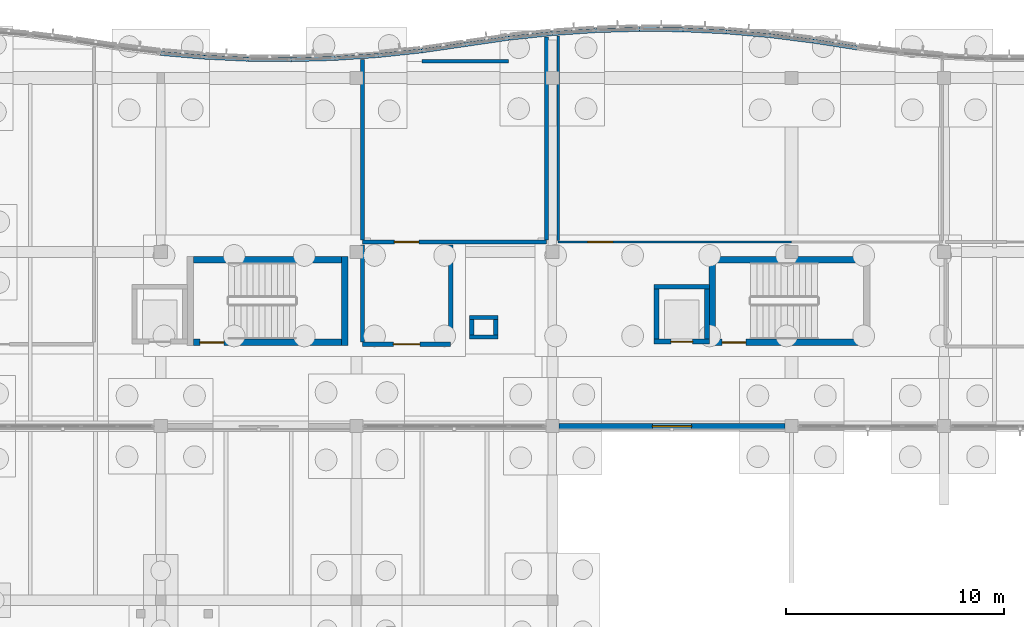
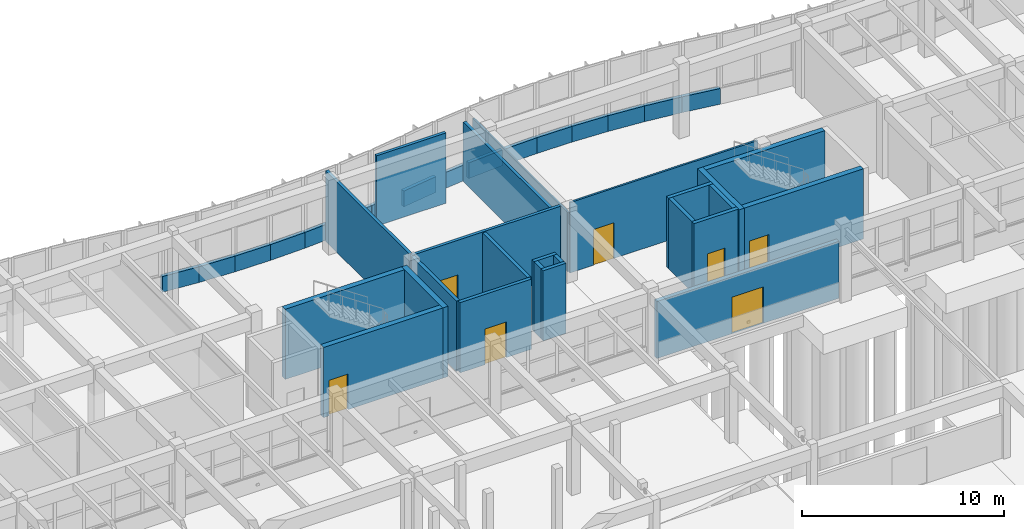
# One storey, part 67 of 99: 40 walls, 7 doors, 7 openings.
"""IFC4 building model written with IfcOpenShell, lengths in metres."""

from ifc_helpers import new_model, si_unit, direction, frame, frame_2d, origin, place, context, subcontext, project, spatial, rectangle, extrude, material, layer, layer_set, type_object, element, fill, save


model = new_model("IFC4")

# Units and contexts
model_context = context("Model", 3, precision=1e-05, world=origin(), true_north=direction((0.0, 1.0)))
body_context = subcontext(model_context, "Body", "Model", "MODEL_VIEW")
ifc_project = project(units=[si_unit("LENGTHUNIT", "METRE"), si_unit("AREAUNIT", "SQUARE_METRE"), si_unit("VOLUMEUNIT", "CUBIC_METRE"), si_unit("PLANEANGLEUNIT", "RADIAN"), si_unit("MASSUNIT", "GRAM", prefix="KILO")], contexts=[model_context])

# Site, building, storey
site_placement = place(None, origin())
site = spatial("IfcSite", under=ifc_project, at=site_placement, CompositionType="ELEMENT")
building_placement = place(site_placement, origin())
building = spatial("IfcBuilding", under=site, at=building_placement, Name="Tonlespit Floodbar School", CompositionType="ELEMENT")
storey_placement = place(building_placement, origin())
storey = spatial("IfcBuildingStorey", under=building, at=storey_placement, Name="L00", CompositionType="ELEMENT", Elevation=0.0)

# Wall
ifc_material_1 = material(Name="Concrete C40/50", Category="concrete")
ifc_layer_1 = layer(ifc_material_1, 0.300048828125)
ifc_layer_set_1 = layer_set([ifc_layer_1], Name="Concrete C40/50")
wall_type_1 = type_object("IfcWallType", Name="CoreWall_RC_300", PredefinedType="SHEAR", material=ifc_layer_set_1)
wall_1_placement = place(storey_placement, frame((106.449951171875, 111.800048828125, 0.0), z_axis=(0.0, 0.0, 1.0), x_axis=(0.0, -1.0, 0.0)))
element("IfcWall", 1, at=wall_1_placement, inside=storey, type_object=wall_type_1, Name="L00 core C2 shear wall FAR", PredefinedType="SHEAR", context=body_context, shape_type="SweptSolid", body=[
    extrude(rectangle(XDim=4.10009765625, YDim=0.300048828125, at=frame_2d((2.050048828125, 0.0))), origin(), (0.0, 0.0, 1.0), 4.239990234375),
])

# Wall, opening, door
wall_2_placement = place(storey_placement, frame((99.5, 107.85009765625, 0.0), z_axis=(0.0, 0.0, 1.0), x_axis=(1.0, 0.0, 0.0)))
wall_2 = element("IfcWall", 2, at=wall_2_placement, inside=storey, type_object=wall_type_1, Name="L00 core C2 shear wall LEFT", PredefinedType="SHEAR", context=body_context, shape_type="SweptSolid", body=[
    extrude(rectangle(XDim=6.800048828125, YDim=0.300048828125, at=frame_2d((3.39990234375, 0.0))), origin(), (0.0, 0.0, 1.0), 4.239990234375),
])
opening_1_placement = place(wall_2_placement, frame((0.300048828125, 0.0, 0.0)))
opening_1 = element("IfcOpeningElement", 3, at=opening_1_placement, cuts=wall_2, Name="Opening FD1-C2-L00", PredefinedType="OPENING", context=body_context, shape_type="SweptSolid", body=[
    extrude(rectangle(XDim=1.10009765625, YDim=2.14990234375, at=frame_2d((0.550048828125, 1.074951171875))), frame((0.0, 0.159912109375, 0.0), z_axis=(0.0, -1.0, 0.0), x_axis=(1.0, 0.0, 0.0)), (0.0, 0.0, 1.0), 0.320068359375),
])
ifc_material_2 = material(Name="Galvanised Steel", Category="steel")
door_type_1 = type_object("IfcDoorType", Name="FireDoor_Stair_1100x2150", OperationType="NOTDEFINED", PredefinedType="DOOR", material=ifc_material_2)
door_1_placement = place(opening_1_placement, origin())
door_1 = element("IfcDoor", 4, at=door_1_placement, inside=storey, type_object=door_type_1, Name="L00 stair ST-C2 fire door", OperationType="SINGLE_SWING_LEFT", OverallHeight=2.14990234375, OverallWidth=1.10009765625, PredefinedType="DOOR", context=body_context, shape_type="SweptSolid", body=[
    extrude(rectangle(XDim=1.10009765625, YDim=2.14990234375, at=frame_2d((0.550048828125, 1.074951171875))), frame((0.0, 0.02490234375, 0.0), z_axis=(0.0, -1.0, 0.0), x_axis=(1.0, 0.0, 0.0)), (0.0, 0.0, 1.0), 0.050048828125),
])
fill(opening_1, door_1)

# Walls
wall_3_placement = place(storey_placement, frame((106.300048828125, 111.64990234375, 0.0), z_axis=(0.0, 0.0, 1.0), x_axis=(-1.0, 0.0, 0.0)))
element("IfcWall", 5, at=wall_3_placement, inside=storey, type_object=wall_type_1, Name="L00 core C2 shear wall RGHT", PredefinedType="SHEAR", context=body_context, shape_type="SweptSolid", body=[
    extrude(rectangle(XDim=6.800048828125, YDim=0.300048828125, at=frame_2d((3.39990234375, 0.0))), origin(), (0.0, 0.0, 1.0), 4.239990234375),
])
wall_4_placement = place(storey_placement, frame((123.35009765625, 107.699951171875, 0.0), z_axis=(0.0, 0.0, 1.0), x_axis=(0.0, 1.0, 0.0)))
element("IfcWall", 6, at=wall_4_placement, inside=storey, type_object=wall_type_1, Name="L00 core C4 shear wall NEAR", PredefinedType="SHEAR", context=body_context, shape_type="SweptSolid", body=[
    extrude(rectangle(XDim=4.10009765625, YDim=0.300048828125, at=frame_2d((2.050048828125, 0.0))), origin(), (0.0, 0.0, 1.0), 4.239990234375),
])

# Wall, opening, door
wall_5_placement = place(storey_placement, frame((123.5, 107.85009765625, 0.0), z_axis=(0.0, 0.0, 1.0), x_axis=(1.0, 0.0, 0.0)))
wall_5 = element("IfcWall", 7, at=wall_5_placement, inside=storey, type_object=wall_type_1, Name="L00 core C4 shear wall LEFT", PredefinedType="SHEAR", context=body_context, shape_type="SweptSolid", body=[
    extrude(rectangle(XDim=6.800048828125, YDim=0.300048828125, at=frame_2d((3.39990234375, 0.0))), origin(), (0.0, 0.0, 1.0), 4.239990234375),
])
opening_2_placement = place(wall_5_placement, frame((0.300048828125, 0.0, 0.0)))
opening_2 = element("IfcOpeningElement", 8, at=opening_2_placement, cuts=wall_5, Name="Opening FD1-C4-L00", PredefinedType="OPENING", context=body_context, shape_type="SweptSolid", body=[
    extrude(rectangle(XDim=1.10009765625, YDim=2.14990234375, at=frame_2d((0.550048828125, 1.074951171875))), frame((0.0, 0.159912109375, 0.0), z_axis=(0.0, -1.0, 0.0), x_axis=(1.0, 0.0, 0.0)), (0.0, 0.0, 1.0), 0.320068359375),
])
door_2_placement = place(opening_2_placement, origin())
door_2 = element("IfcDoor", 9, at=door_2_placement, inside=storey, type_object=door_type_1, Name="L00 stair ST-C4 fire door", OperationType="SINGLE_SWING_LEFT", OverallHeight=2.14990234375, OverallWidth=1.10009765625, PredefinedType="DOOR", context=body_context, shape_type="SweptSolid", body=[
    extrude(rectangle(XDim=1.10009765625, YDim=2.14990234375, at=frame_2d((0.550048828125, 1.074951171875))), frame((0.0, 0.02490234375, 0.0), z_axis=(0.0, -1.0, 0.0), x_axis=(1.0, 0.0, 0.0)), (0.0, 0.0, 1.0), 0.050048828125),
])
fill(opening_2, door_2)

# Wall
wall_6_placement = place(storey_placement, frame((130.300048828125, 111.64990234375, 0.0), z_axis=(0.0, 0.0, 1.0), x_axis=(-1.0, 0.0, 0.0)))
element("IfcWall", 10, at=wall_6_placement, inside=storey, type_object=wall_type_1, Name="L00 core C4 shear wall RGHT", PredefinedType="SHEAR", context=body_context, shape_type="SweptSolid", body=[
    extrude(rectangle(XDim=6.800048828125, YDim=0.300048828125, at=frame_2d((3.39990234375, 0.0))), origin(), (0.0, 0.0, 1.0), 4.239990234375),
])

# Wall, opening, door
ifc_material_3 = material(Name="Precast concrete C40/50", Category="concrete")
ifc_layer_2 = layer(ifc_material_3, 0.239990234375)
ifc_layer_set_2 = layer_set([ifc_layer_2], Name="Precast concrete C40/50")
wall_type_2 = type_object("IfcWallType", Name="ExtWall_Rainscreen_240", PredefinedType="SOLIDWALL", material=ifc_layer_set_2)
wall_7_placement = place(storey_placement, frame((126.699951171875, 104.0, 0.0), z_axis=(0.0, 0.0, 1.0), x_axis=(-1.0, 0.0, 0.0)))
wall_7 = element("IfcWall", 11, at=wall_7_placement, inside=storey, type_object=wall_type_2, Name="L00 external wall 0546", PredefinedType="SOLIDWALL", context=body_context, shape_type="SweptSolid", body=[
    extrude(rectangle(XDim=10.39990234375, YDim=0.239990234375, at=frame_2d((5.199951171875, 0.0))), origin(), (0.0, 0.0, 1.0), 3.43994140625),
])
opening_3_placement = place(wall_7_placement, frame((4.300048828125, 0.0, 0.0)))
opening_3 = element("IfcOpeningElement", 12, at=opening_3_placement, cuts=wall_7, Name="Opening D-EX-029", PredefinedType="OPENING", context=body_context, shape_type="SweptSolid", body=[
    extrude(rectangle(XDim=1.800048828125, YDim=2.199951171875, at=frame_2d((0.89990234375, 1.10009765625))), frame((0.0, 0.1298828125, 0.0), z_axis=(0.0, -1.0, 0.0), x_axis=(1.0, 0.0, 0.0)), (0.0, 0.0, 1.0), 0.260009765625),
])
ifc_material_4 = material(Name="Anodised Aluminium", Category="aluminium")
door_type_2 = type_object("IfcDoorType", Name="ExtDoor_Exit_1800x2200", OperationType="NOTDEFINED", PredefinedType="DOOR", material=ifc_material_4)
door_3_placement = place(opening_3_placement, origin())
door_3 = element("IfcDoor", 13, at=door_3_placement, inside=storey, type_object=door_type_2, Name="Final exit door D-EX-029", OperationType="SINGLE_SWING_LEFT", OverallHeight=2.199951171875, OverallWidth=1.800048828125, PredefinedType="DOOR", context=body_context, shape_type="SweptSolid", body=[
    extrude(rectangle(XDim=1.800048828125, YDim=2.199951171875, at=frame_2d((0.89990234375, 1.10009765625))), frame((0.0, 0.02490234375, 0.0), z_axis=(0.0, -1.0, 0.0), x_axis=(1.0, 0.0, 0.0)), (0.0, 0.0, 1.0), 0.050048828125),
])
fill(opening_3, door_3)

# Walls
ifc_material_5 = material(Name="White Architectural Precast concrete C40/50", Category="concrete")
ifc_layer_3 = layer(ifc_material_5, 0.199951171875)
ifc_layer_set_3 = layer_set([ifc_layer_3], Name="White Architectural Precast concrete C40/50")
wall_type_3 = type_object("IfcWallType", Name="ExtWall_Spandrel_White_200", PredefinedType="SOLIDWALL", material=ifc_layer_set_3)
wall_8_placement = place(storey_placement, frame((98.0, 121.142333984375, 0.0), z_axis=(0.0, 0.0, 1.0), x_axis=(0.996244237948, -0.086587633962, 0.0)))
element("IfcWall", 14, at=wall_8_placement, inside=storey, type_object=wall_type_3, Name="L00 spandrel wall 0028", PredefinedType="SOLIDWALL", context=body_context, shape_type="SweptSolid", body=[
    extrude(rectangle(XDim=2.007568359375, YDim=0.199951171875, at=frame_2d((1.00390625, 0.0))), origin(), (0.0, 0.0, 1.0), 0.949951171875),
])
wall_9_placement = place(storey_placement, frame((100.0, 120.968505859375, 0.0), z_axis=(0.0, 0.0, 1.0), x_axis=(0.99884540439, -0.048040172037, 0.0)))
element("IfcWall", 15, at=wall_9_placement, inside=storey, type_object=wall_type_3, Name="L00 spandrel wall 0029", PredefinedType="SOLIDWALL", context=body_context, shape_type="SweptSolid", body=[
    extrude(rectangle(XDim=2.002197265625, YDim=0.199951171875, at=frame_2d((1.0009765625, 0.0))), origin(), (0.0, 0.0, 1.0), 0.949951171875),
])
wall_10_placement = place(storey_placement, frame((102.0, 120.872314453125, 0.0), z_axis=(0.0, 0.0, 1.0), x_axis=(0.999953504169, -0.009643106302, 0.0)))
element("IfcWall", 16, at=wall_10_placement, inside=storey, type_object=wall_type_3, Name="L00 spandrel wall 0030", PredefinedType="SOLIDWALL", context=body_context, shape_type="SweptSolid", body=[
    extrude(rectangle(XDim=2.0, YDim=0.199951171875, at=frame_2d((1.0, 0.0))), origin(), (0.0, 0.0, 1.0), 0.949951171875),
])
wall_11_placement = place(storey_placement, frame((104.0, 120.85302734375, 0.0), z_axis=(0.0, 0.0, 1.0), x_axis=(0.999585290582, 0.028796646555, 0.0)))
element("IfcWall", 17, at=wall_11_placement, inside=storey, type_object=wall_type_3, Name="L00 spandrel wall 0031", PredefinedType="SOLIDWALL", context=body_context, shape_type="SweptSolid", body=[
    extrude(rectangle(XDim=2.000732421875, YDim=0.199951171875, at=frame_2d((1.00048828125, 0.0))), origin(), (0.0, 0.0, 1.0), 0.949951171875),
])
wall_12_placement = place(storey_placement, frame((106.0, 120.91064453125, 0.0), z_axis=(0.0, 0.0, 1.0), x_axis=(0.997729302978, 0.067351599676, 0.0)))
element("IfcWall", 18, at=wall_12_placement, inside=storey, type_object=wall_type_3, Name="L00 spandrel wall 0032", PredefinedType="SOLIDWALL", context=body_context, shape_type="SweptSolid", body=[
    extrude(rectangle(XDim=2.004638671875, YDim=0.199951171875, at=frame_2d((1.00244140625, 0.0))), origin(), (0.0, 0.0, 1.0), 0.949951171875),
])
wall_13_placement = place(storey_placement, frame((108.0, 121.045654296875, 0.0), z_axis=(0.0, 0.0, 1.0), x_axis=(0.994395160059, 0.105727317433, 0.0)))
element("IfcWall", 19, at=wall_13_placement, inside=storey, type_object=wall_type_3, Name="L00 spandrel wall 0033", PredefinedType="SOLIDWALL", context=body_context, shape_type="SweptSolid", body=[
    extrude(rectangle(XDim=2.01123046875, YDim=0.199951171875, at=frame_2d((1.005615234375, 0.0))), origin(), (0.0, 0.0, 1.0), 0.949951171875),
])
for number, where, z_axis, x_axis, name in (
    (20, (110.0, 121.25830078125, 0.0), (0.0, 0.0, 1.0), (0.989527230727, 0.144346318447, 0.0), "L00 spandrel wall 0034"),
    (21, (112.0, 121.550048828125, 0.0), (0.0, 0.0, 1.0), (0.989544477223, 0.144228040259, 0.0), "L00 spandrel wall 0035"),
):
    element("IfcWall", number, at=place(storey_placement, frame(where, z_axis=z_axis, x_axis=x_axis)), inside=storey, type_object=wall_type_3, Name=name, PredefinedType="SOLIDWALL", context=body_context, shape_type="SweptSolid", body=[
        extrude(rectangle(XDim=2.021240234375, YDim=0.199951171875, at=frame_2d((1.0107421875, 0.0))), origin(), (0.0, 0.0, 1.0), 0.949951171875),
    ])
wall_14_placement = place(storey_placement, frame((114.0, 121.841552734375, 0.0), z_axis=(0.0, 0.0, 1.0), x_axis=(0.994395160059, 0.105727317433, 0.0)))
element("IfcWall", 22, at=wall_14_placement, inside=storey, type_object=wall_type_3, Name="L00 spandrel wall 0036", PredefinedType="SOLIDWALL", context=body_context, shape_type="SweptSolid", body=[
    extrude(rectangle(XDim=2.01123046875, YDim=0.199951171875, at=frame_2d((1.005615234375, 0.0))), origin(), (0.0, 0.0, 1.0), 0.949951171875),
])
wall_15_placement = place(storey_placement, frame((116.0, 122.05419921875, 0.0), z_axis=(0.0, 0.0, 1.0), x_axis=(0.997729302978, 0.067351599676, 0.0)))
element("IfcWall", 23, at=wall_15_placement, inside=storey, type_object=wall_type_3, Name="L00 spandrel wall 0510", PredefinedType="SOLIDWALL", context=body_context, shape_type="SweptSolid", body=[
    extrude(rectangle(XDim=2.004638671875, YDim=0.199951171875, at=frame_2d((1.00244140625, 0.0))), origin(), (0.0, 0.0, 1.0), 0.949951171875),
])
wall_16_placement = place(storey_placement, frame((118.0, 122.189208984375, 0.0), z_axis=(0.0, 0.0, 1.0), x_axis=(0.999581770858, 0.028918564416, 0.0)))
element("IfcWall", 24, at=wall_16_placement, inside=storey, type_object=wall_type_3, Name="L00 spandrel wall 0511", PredefinedType="SOLIDWALL", context=body_context, shape_type="SweptSolid", body=[
    extrude(rectangle(XDim=2.000732421875, YDim=0.199951171875, at=frame_2d((1.00048828125, 0.0))), origin(), (0.0, 0.0, 1.0), 0.949951171875),
])
wall_17_placement = place(storey_placement, frame((120.0, 122.2470703125, 0.0), z_axis=(0.0, 0.0, 1.0), x_axis=(0.999953504169, -0.009643106302, 0.0)))
element("IfcWall", 25, at=wall_17_placement, inside=storey, type_object=wall_type_3, Name="L00 spandrel wall 0512", PredefinedType="SOLIDWALL", context=body_context, shape_type="SweptSolid", body=[
    extrude(rectangle(XDim=2.0, YDim=0.199951171875, at=frame_2d((1.0, 0.0))), origin(), (0.0, 0.0, 1.0), 0.949951171875),
])
wall_18_placement = place(storey_placement, frame((122.0, 122.227783203125, 0.0), z_axis=(0.0, 0.0, 1.0), x_axis=(0.99884540439, -0.048040172037, 0.0)))
element("IfcWall", 26, at=wall_18_placement, inside=storey, type_object=wall_type_3, Name="L00 spandrel wall 0513", PredefinedType="SOLIDWALL", context=body_context, shape_type="SweptSolid", body=[
    extrude(rectangle(XDim=2.002197265625, YDim=0.199951171875, at=frame_2d((1.0009765625, 0.0))), origin(), (0.0, 0.0, 1.0), 0.949951171875),
])
wall_19_placement = place(storey_placement, frame((124.0, 122.131591796875, 0.0), z_axis=(0.0, 0.0, 1.0), x_axis=(0.996244237948, -0.086587633962, 0.0)))
element("IfcWall", 27, at=wall_19_placement, inside=storey, type_object=wall_type_3, Name="L00 spandrel wall 0514", PredefinedType="SOLIDWALL", context=body_context, shape_type="SweptSolid", body=[
    extrude(rectangle(XDim=2.007568359375, YDim=0.199951171875, at=frame_2d((1.00390625, 0.0))), origin(), (0.0, 0.0, 1.0), 0.949951171875),
])
wall_20_placement = place(storey_placement, frame((126.0, 121.957763671875, 0.0), z_axis=(0.0, 0.0, 1.0), x_axis=(0.992158168336, -0.124988675503, 0.0)))
element("IfcWall", 28, at=wall_20_placement, inside=storey, type_object=wall_type_3, Name="L00 spandrel wall 0515", PredefinedType="SOLIDWALL", context=body_context, shape_type="SweptSolid", body=[
    extrude(rectangle(XDim=2.015869140625, YDim=0.199951171875, at=frame_2d((1.0078125, 0.0))), origin(), (0.0, 0.0, 1.0), 0.949951171875),
])
wall_21_placement = place(storey_placement, frame((128.0, 121.705810546875, 0.0), z_axis=(0.0, 0.0, 1.0), x_axis=(0.988085509852, -0.153905897287, 0.0)))
element("IfcWall", 29, at=wall_21_placement, inside=storey, type_object=wall_type_3, Name="L00 spandrel wall 0516", PredefinedType="SOLIDWALL", context=body_context, shape_type="SweptSolid", body=[
    extrude(rectangle(XDim=2.024169921875, YDim=0.199951171875, at=frame_2d((1.01220703125, 0.0))), origin(), (0.0, 0.0, 1.0), 0.949951171875),
])
ifc_layer_4 = layer(ifc_material_1, 0.199951171875)
ifc_layer_set_4 = layer_set([ifc_layer_4], Name="Concrete C40/50")
wall_type_4 = type_object("IfcWallType", Name="FireWall_Plant_200", PredefinedType="PARTITIONING", material=ifc_layer_set_4)
for number, where, z_axis, x_axis, name in (
    (30, (113.5, 108.10009765625, 0.0), (0.0, 0.0, 1.0), (-1.0, 0.0, 0.0), "L00 service riser 02 wall S"),
    (31, (112.199951171875, 109.0, 0.0), (0.0, 0.0, 1.0), (1.0, 0.0, 0.0), "L00 service riser 02 wall N"),
):
    element("IfcWall", number, at=place(storey_placement, frame(where, z_axis=z_axis, x_axis=x_axis)), inside=storey, type_object=wall_type_4, Name=name, PredefinedType="PARTITIONING", context=body_context, shape_type="SweptSolid", body=[
        extrude(rectangle(XDim=1.300048828125, YDim=0.199951171875, at=frame_2d((0.64990234375, 0.0))), origin(), (0.0, 0.0, 1.0), 4.239990234375),
    ])
for number, where, z_axis, x_axis, name in (
    (32, (112.300048828125, 108.199951171875, 0.0), (0.0, 0.0, 1.0), (0.0, 1.0, 0.0), "L00 service riser 02 wall W"),
    (33, (113.39990234375, 108.89990234375, 0.0), (0.0, 0.0, 1.0), (0.0, -1.0, 0.0), "L00 service riser 02 wall E"),
):
    element("IfcWall", number, at=place(storey_placement, frame(where, z_axis=z_axis, x_axis=x_axis)), inside=storey, type_object=wall_type_4, Name=name, PredefinedType="PARTITIONING", context=body_context, shape_type="SweptSolid", body=[
        extrude(rectangle(XDim=0.699951171875, YDim=0.199951171875, at=frame_2d((0.35009765625, 0.0))), origin(), (0.0, 0.0, 1.0), 4.239990234375),
    ])

# Wall, opening, door
ifc_material_6 = material(Name="Gypsum Plasterboard Partition")
ifc_layer_5 = layer(ifc_material_6, 0.110107421875)
ifc_layer_set_5 = layer_set([ifc_layer_5], Name="Gypsum Plasterboard Partition")
wall_type_5 = type_object("IfcWallType", Name="Partition_Gyp_110", PredefinedType="PARTITIONING", material=ifc_layer_set_5)
wall_22_placement = place(storey_placement, frame((116.27001953125, 112.469970703125, 0.0), z_axis=(0.0, 0.0, 1.0), x_axis=(1.0, 0.0, 0.0)))
wall_22 = element("IfcWall", 34, at=wall_22_placement, inside=storey, type_object=wall_type_5, Name="L00 partition wall 0320", PredefinedType="PARTITIONING", context=body_context, shape_type="SweptSolid", body=[
    extrude(rectangle(XDim=10.72998046875, YDim=0.110107421875, at=frame_2d((5.364990234375, 0.0))), origin(), (0.0, 0.0, 1.0), 4.239990234375),
])
opening_4_placement = place(wall_22_placement, frame((1.35009765625, 0.0, 0.0)))
opening_4 = element("IfcOpeningElement", 35, at=opening_4_placement, cuts=wall_22, Name="Opening D-L00-092", PredefinedType="OPENING", context=body_context, shape_type="SweptSolid", body=[
    extrude(rectangle(XDim=1.159912109375, YDim=2.14990234375, at=frame_2d((0.580078125, 1.074951171875))), frame((0.0, 0.06494140625, 0.0), z_axis=(0.0, -1.0, 0.0), x_axis=(1.0, 0.0, 0.0)), (0.0, 0.0, 1.0), 0.130126953125),
])
ifc_material_7 = material(Name="Hardwood Timber", Category="wood")
door_type_3 = type_object("IfcDoorType", Name="IntDoor_1160x2150", OperationType="NOTDEFINED", PredefinedType="DOOR", material=ifc_material_7)
door_4_placement = place(opening_4_placement, origin())
door_4 = element("IfcDoor", 36, at=door_4_placement, inside=storey, type_object=door_type_3, Name="L00 interior door D-L00-092", OperationType="SINGLE_SWING_LEFT", OverallHeight=2.14990234375, OverallWidth=1.159912109375, PredefinedType="DOOR", context=body_context, shape_type="SweptSolid", body=[
    extrude(rectangle(XDim=1.159912109375, YDim=2.14990234375, at=frame_2d((0.580078125, 1.074951171875))), frame((0.0, 0.02490234375, 0.0), z_axis=(0.0, -1.0, 0.0), x_axis=(1.0, 0.0, 0.0)), (0.0, 0.0, 1.0), 0.050048828125),
])
fill(opening_4, door_4)

# Wall
wall_23_placement = place(storey_placement, frame((116.27001953125, 112.5400390625, 0.0), z_axis=(0.0, 0.0, 1.0), x_axis=(0.0, 1.0, 0.0)))
element("IfcWall", 37, at=wall_23_placement, inside=storey, type_object=wall_type_5, Name="L00 partition wall 0322", PredefinedType="PARTITIONING", context=body_context, shape_type="SweptSolid", body=[
    extrude(rectangle(XDim=9.390380859375, YDim=0.110107421875, at=frame_2d((4.6953125, 0.0))), origin(), (0.0, 0.0, 1.0), 3.590087890625),
])

# Wall, opening, door
ifc_layer_6 = layer(ifc_material_6, 0.169921875)
ifc_layer_set_6 = layer_set([ifc_layer_6], Name="Gypsum Plasterboard Partition")
wall_type_6 = type_object("IfcWallType", Name="Partition_Gyp_170", PredefinedType="PARTITIONING", material=ifc_layer_set_6)
wall_24_placement = place(storey_placement, frame((107.27001953125, 112.469970703125, 0.0), z_axis=(0.0, 0.0, 1.0), x_axis=(1.0, 0.0, 0.0)))
wall_24 = element("IfcWall", 38, at=wall_24_placement, inside=storey, type_object=wall_type_6, Name="L00 partition wall 0024", PredefinedType="PARTITIONING", context=body_context, shape_type="SweptSolid", body=[
    extrude(rectangle(XDim=8.4599609375, YDim=0.169921875, at=frame_2d((4.22998046875, 0.0))), origin(), (0.0, 0.0, 1.0), 4.239990234375),
])
opening_5_placement = place(wall_24_placement, frame((1.469970703125, 0.0, 0.0)))
opening_5 = element("IfcOpeningElement", 39, at=opening_5_placement, cuts=wall_24, Name="Opening D-L00-007", PredefinedType="OPENING", context=body_context, shape_type="SweptSolid", body=[
    extrude(rectangle(XDim=1.1201171875, YDim=2.14990234375, at=frame_2d((0.56005859375, 1.074951171875))), frame((0.0, 0.094970703125, 0.0), z_axis=(0.0, -1.0, 0.0), x_axis=(1.0, 0.0, 0.0)), (0.0, 0.0, 1.0), 0.18994140625),
])
door_type_4 = type_object("IfcDoorType", Name="IntDoor_1120x2150", OperationType="NOTDEFINED", PredefinedType="DOOR", material=ifc_material_7)
door_5_placement = place(opening_5_placement, origin())
door_5 = element("IfcDoor", 40, at=door_5_placement, inside=storey, type_object=door_type_4, Name="L00 interior door D-L00-007", OperationType="SINGLE_SWING_RIGHT", OverallHeight=2.14990234375, OverallWidth=1.1201171875, PredefinedType="DOOR", context=body_context, shape_type="SweptSolid", body=[
    extrude(rectangle(XDim=1.1201171875, YDim=2.14990234375, at=frame_2d((0.56005859375, 1.074951171875))), frame((0.0, 0.02490234375, 0.0), z_axis=(0.0, -1.0, 0.0), x_axis=(1.0, 0.0, 0.0)), (0.0, 0.0, 1.0), 0.050048828125),
])
fill(opening_5, door_5)

# Walls
wall_25_placement = place(storey_placement, frame((110.02001953125, 120.77197265625, 0.0), z_axis=(0.0, 0.0, 1.0), x_axis=(1.0, 0.0, 0.0)))
element("IfcWall", 41, at=wall_25_placement, inside=storey, type_object=wall_type_6, Name="L00 partition wall 0025", PredefinedType="PARTITIONING", context=body_context, shape_type="SweptSolid", body=[
    extrude(rectangle(XDim=3.9599609375, YDim=0.169921875, at=frame_2d((1.97998046875, 0.0))), origin(), (0.0, 0.0, 1.0), 4.239990234375),
])
wall_26_placement = place(storey_placement, frame((107.27001953125, 112.570068359375, 0.0), z_axis=(0.0, 0.0, 1.0), x_axis=(0.0, 1.0, 0.0)))
element("IfcWall", 42, at=wall_26_placement, inside=storey, type_object=wall_type_6, Name="L00 partition wall 0026", PredefinedType="PARTITIONING", context=body_context, shape_type="SweptSolid", body=[
    extrude(rectangle(XDim=8.284423828125, YDim=0.169921875, at=frame_2d((4.14208984375, 0.0))), origin(), (0.0, 0.0, 1.0), 4.239990234375),
])
wall_27_placement = place(storey_placement, frame((115.72998046875, 112.570068359375, 0.0), z_axis=(0.0, 0.0, 1.0), x_axis=(0.0, 1.0, 0.0)))
element("IfcWall", 43, at=wall_27_placement, inside=storey, type_object=wall_type_6, Name="L00 partition wall 0027", PredefinedType="PARTITIONING", context=body_context, shape_type="SweptSolid", body=[
    extrude(rectangle(XDim=9.3134765625, YDim=0.169921875, at=frame_2d((4.65673828125, 0.0))), origin(), (0.0, 0.0, 1.0), 3.590087890625),
])

# Wall, opening, door
ifc_layer_7 = layer(ifc_material_6, 0.195068359375)
ifc_layer_set_7 = layer_set([ifc_layer_7], Name="Gypsum Plasterboard Partition")
wall_type_7 = type_object("IfcWallType", Name="Partition_Gyp_195", PredefinedType="PARTITIONING", material=ifc_layer_set_7)
wall_28_placement = place(storey_placement, frame((107.27001953125, 107.77001953125, 0.0), z_axis=(0.0, 0.0, 1.0), x_axis=(1.0, 0.0, 0.0)))
wall_28 = element("IfcWall", 44, at=wall_28_placement, inside=storey, type_object=wall_type_7, Name="L00 partition wall 0030", PredefinedType="PARTITIONING", context=body_context, shape_type="SweptSolid", body=[
    extrude(rectangle(XDim=4.06005859375, YDim=0.195068359375, at=frame_2d((2.030029296875, 0.0))), origin(), (0.0, 0.0, 1.0), 4.239990234375),
])
opening_6_placement = place(wall_28_placement, frame((1.419921875, 0.0, 0.0)))
opening_6 = element("IfcOpeningElement", 45, at=opening_6_placement, cuts=wall_28, Name="Opening D-L00-009", PredefinedType="OPENING", context=body_context, shape_type="SweptSolid", body=[
    extrude(rectangle(XDim=1.219970703125, YDim=2.14990234375, at=frame_2d((0.60986328125, 1.074951171875))), frame((0.0, 0.107421875, 0.0), z_axis=(0.0, -1.0, 0.0), x_axis=(1.0, 0.0, 0.0)), (0.0, 0.0, 1.0), 0.215087890625),
])
door_type_5 = type_object("IfcDoorType", Name="IntDoor_1220x2150", OperationType="NOTDEFINED", PredefinedType="DOOR", material=ifc_material_7)
door_6_placement = place(opening_6_placement, origin())
door_6 = element("IfcDoor", 46, at=door_6_placement, inside=storey, type_object=door_type_5, Name="L00 interior door D-L00-009", OperationType="SINGLE_SWING_RIGHT", OverallHeight=2.14990234375, OverallWidth=1.219970703125, PredefinedType="DOOR", context=body_context, shape_type="SweptSolid", body=[
    extrude(rectangle(XDim=1.219970703125, YDim=2.14990234375, at=frame_2d((0.60986328125, 1.074951171875))), frame((0.0, 0.02490234375, 0.0), z_axis=(0.0, -1.0, 0.0), x_axis=(1.0, 0.0, 0.0)), (0.0, 0.0, 1.0), 0.050048828125),
])
fill(opening_6, door_6)

# Walls
for number, where, z_axis, x_axis, name in (
    (47, (107.27001953125, 107.882568359375, 0.0), (0.0, 0.0, 1.0), (0.0, 1.0, 0.0), "L00 partition wall 0031"),
    (48, (111.330078125, 107.882568359375, 0.0), (0.0, 0.0, 1.0), (0.0, 1.0, 0.0), "L00 partition wall 0032"),
):
    element("IfcWall", number, at=place(storey_placement, frame(where, z_axis=z_axis, x_axis=x_axis)), inside=storey, type_object=wall_type_7, Name=name, PredefinedType="PARTITIONING", context=body_context, shape_type="SweptSolid", body=[
        extrude(rectangle(XDim=4.447509765625, YDim=0.195068359375, at=frame_2d((2.2236328125, 0.0))), origin(), (0.0, 0.0, 1.0), 4.239990234375),
    ])

# Wall, opening, door
ifc_layer_8 = layer(ifc_material_1, 0.219970703125)
ifc_layer_set_8 = layer_set([ifc_layer_8], Name="Concrete C40/50")
wall_type_8 = type_object("IfcWallType", Name="ShaftWall_RC_220", PredefinedType="SHEAR", material=ifc_layer_set_8)
wall_29_placement = place(storey_placement, frame((123.219970703125, 107.889892578125, 0.0), z_axis=(0.0, 0.0, 1.0), x_axis=(-1.0, 0.0, 0.0)))
wall_29 = element("IfcWall", 49, at=wall_29_placement, inside=storey, type_object=wall_type_8, Name="L00 lift LP-3 shaft wall S", PredefinedType="SHEAR", context=body_context, shape_type="SweptSolid", body=[
    extrude(rectangle(XDim=2.5400390625, YDim=0.219970703125, at=frame_2d((1.27001953125, 0.0))), origin(), (0.0, 0.0, 1.0), 4.239990234375),
])
opening_7_placement = place(wall_29_placement, frame((0.77001953125, 0.0, 0.0)))
opening_7 = element("IfcOpeningElement", 50, at=opening_7_placement, cuts=wall_29, Name="Opening LD-LP-3-L00", PredefinedType="OPENING", context=body_context, shape_type="SweptSolid", body=[
    extrude(rectangle(XDim=1.0, YDim=2.14990234375, at=frame_2d((0.5, 1.074951171875))), frame((0.0, 0.119873046875, 0.0), z_axis=(0.0, -1.0, 0.0), x_axis=(1.0, 0.0, 0.0)), (0.0, 0.0, 1.0), 0.239990234375),
])
door_type_6 = type_object("IfcDoorType", Name="LiftDoor_Pass_1000x2150", OperationType="DOUBLE_DOOR_SLIDING", PredefinedType="DOOR", material=ifc_material_4)
door_7_placement = place(opening_7_placement, origin())
door_7 = element("IfcDoor", 51, at=door_7_placement, inside=storey, type_object=door_type_6, Name="L00 lift LP-3 sliding landing door", OperationType="DOUBLE_DOOR_SLIDING", OverallHeight=2.14990234375, OverallWidth=1.0, PredefinedType="DOOR", context=body_context, shape_type="SweptSolid", body=[
    extrude(rectangle(XDim=1.0, YDim=2.14990234375, at=frame_2d((0.5, 1.074951171875))), frame((0.0, 0.02490234375, 0.0), z_axis=(0.0, -1.0, 0.0), x_axis=(1.0, 0.0, 0.0)), (0.0, 0.0, 1.0), 0.050048828125),
])
fill(opening_7, door_7)

# Walls
wall_30_placement = place(storey_placement, frame((120.679931640625, 110.409912109375, 0.0), z_axis=(0.0, 0.0, 1.0), x_axis=(1.0, 0.0, 0.0)))
element("IfcWall", 52, at=wall_30_placement, inside=storey, type_object=wall_type_8, Name="L00 lift LP-3 shaft wall N", PredefinedType="SHEAR", context=body_context, shape_type="SweptSolid", body=[
    extrude(rectangle(XDim=2.5400390625, YDim=0.219970703125, at=frame_2d((1.27001953125, 0.0))), origin(), (0.0, 0.0, 1.0), 4.239990234375),
])
for number, where, z_axis, x_axis, name in (
    (53, (120.7900390625, 108.0, 0.0), (0.0, 0.0, 1.0), (0.0, 1.0, 0.0), "L00 lift LP-3 shaft wall W"),
    (54, (123.110107421875, 110.300048828125, 0.0), (0.0, 0.0, 1.0), (0.0, -1.0, 0.0), "L00 lift LP-3 shaft wall E"),
):
    element("IfcWall", number, at=place(storey_placement, frame(where, z_axis=z_axis, x_axis=x_axis)), inside=storey, type_object=wall_type_8, Name=name, PredefinedType="SHEAR", context=body_context, shape_type="SweptSolid", body=[
        extrude(rectangle(XDim=2.300048828125, YDim=0.219970703125, at=frame_2d((1.14990234375, 0.0))), origin(), (0.0, 0.0, 1.0), 4.239990234375),
    ])

save(model, "model.ifc")
